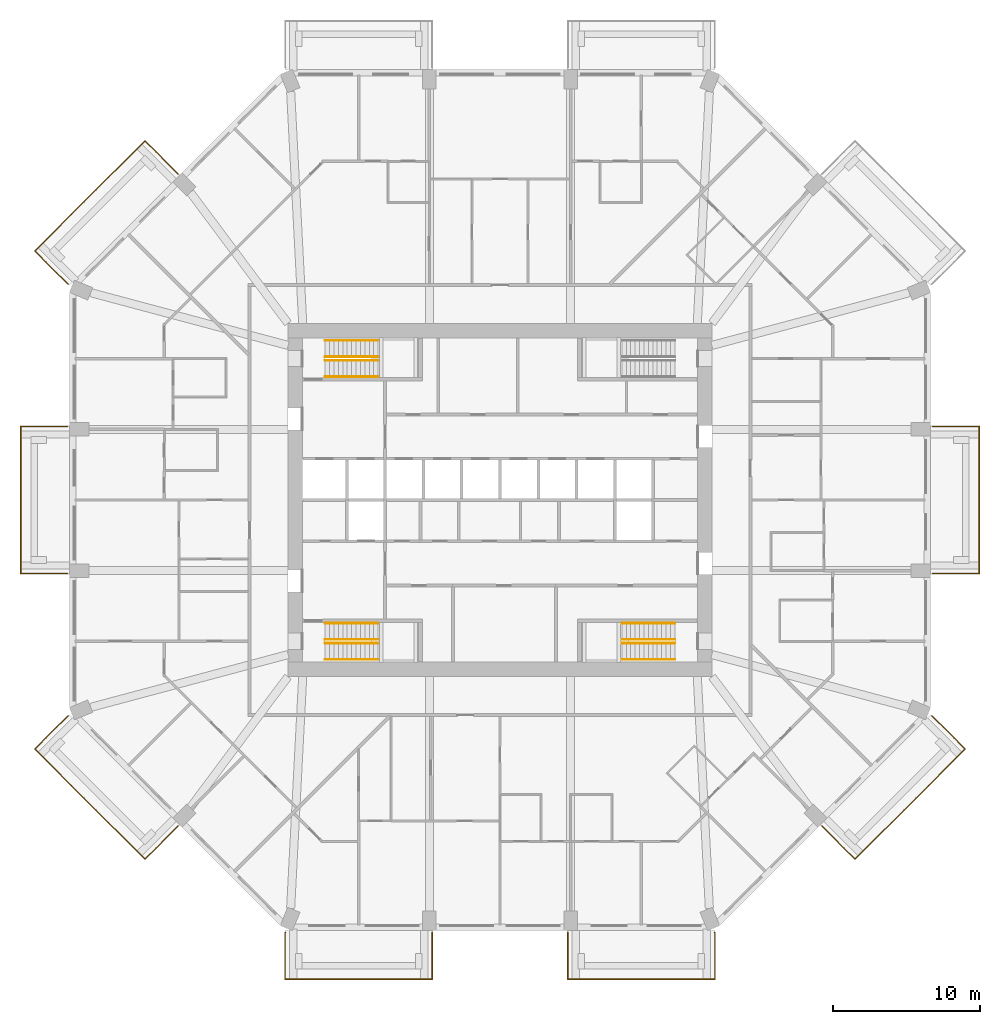
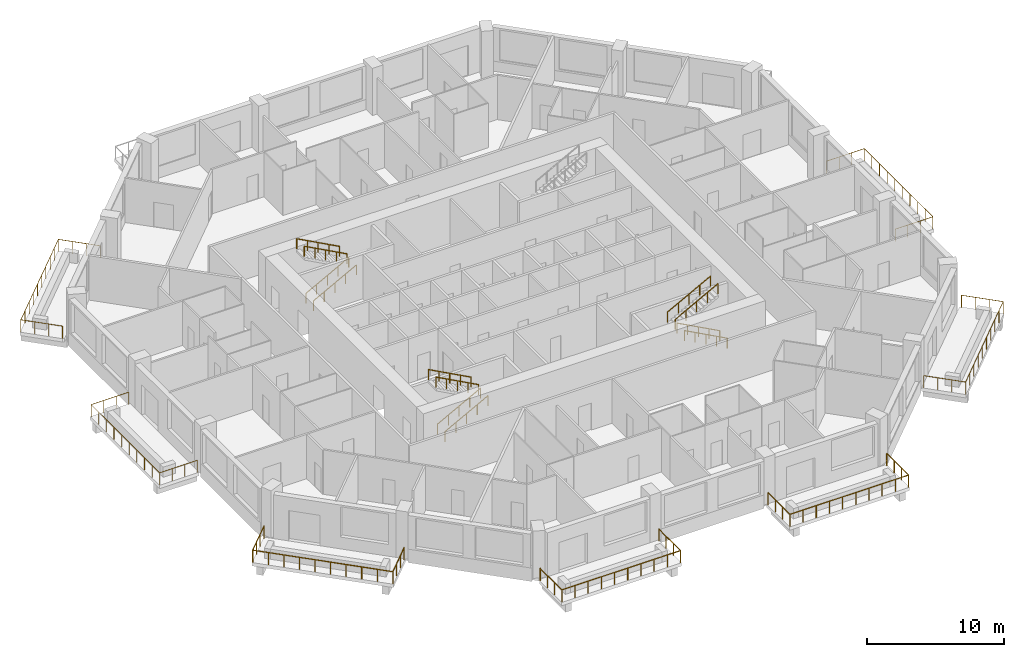
# One storey, part 12 of 13: 19 railings.
"""IFC4 building model written with IfcOpenShell, lengths in metres."""

from ifc_helpers import new_model, si_unit, direction, frame, origin, origin_2d, place, context, subcontext, project, spatial, circle, extrude, material, constituent, constituent_set, type_object, element, save


model = new_model("IFC4")

# Units and contexts
model_context = context("Model", 3, precision=1e-05, world=origin(), true_north=direction((0.0, 1.0)))
body_context = subcontext(model_context, "Body", "Model", "MODEL_VIEW")
ifc_project = project(units=[si_unit("LENGTHUNIT", "METRE"), si_unit("AREAUNIT", "SQUARE_METRE"), si_unit("VOLUMEUNIT", "CUBIC_METRE"), si_unit("PLANEANGLEUNIT", "RADIAN"), si_unit("MASSUNIT", "GRAM", prefix="KILO")], contexts=[model_context])

# Site, building, storey
site_placement = place(None, origin())
site = spatial("IfcSite", under=ifc_project, at=site_placement, CompositionType="ELEMENT")
building_placement = place(site_placement, origin())
building = spatial("IfcBuilding", under=site, at=building_placement, Name="Msitu Wima Residences", CompositionType="ELEMENT")
storey_placement = place(building_placement, frame((0.0, 0.0, 75.89990234375)))
storey = spatial("IfcBuildingStorey", under=building, at=storey_placement, Name="L17", CompositionType="ELEMENT", Elevation=75.89990234375)

# Railings
ifc_material_1 = material(Name="Steel S355", Category="steel")
ifc_constituent_1 = constituent(ifc_material_1, Name="Steel S355")
ifc_material_2 = material(Name="Weathering patina")
ifc_constituent_2 = constituent(ifc_material_2, Name="Weathering patina")
ifc_constituent_set_1 = constituent_set(constituents=[ifc_constituent_1, ifc_constituent_2], Name="Steel S355")
railing_type_1 = type_object("IfcRailingType", Name="Balcony guard GR1100", PredefinedType="GUARDRAIL", material=ifc_constituent_set_1)
railing_1_placement = place(storey_placement, frame((29.3798828125, 5.0, 0.0)))
element("IfcRailing", 1, at=railing_1_placement, inside=storey, type_object=railing_type_1, Name="Balcony guard E1 L17", PredefinedType="GUARDRAIL", context=body_context, shape_type="SweptSolid", body=[
    extrude(circle(Radius=0.02392578125, at=origin_2d()), frame((0.0, 0.0, 1.076171875), z_axis=(1.0, 0.0, 0.0), x_axis=(0.0, 1.0, 0.0)), (0.0, 0.0, 1.0), 3.170166015625),
    extrude(circle(Radius=0.02392578125, at=origin_2d()), frame((3.170166015625, 0.0, 1.076171875), z_axis=(0.0, -1.0, 0.0), x_axis=(1.0, 0.0, 0.0)), (0.0, 0.0, 1.0), 10.0),
    extrude(circle(Radius=0.02392578125, at=origin_2d()), frame((3.170166015625, -10.0, 1.076171875), z_axis=(-1.0, 0.0, 0.0), x_axis=(0.0, -1.0, 0.0)), (0.0, 0.0, 1.0), 3.170166015625),
    extrude(circle(Radius=0.02099609375, at=origin_2d()), origin(), (0.0, 0.0, 1.0), 1.052001953125),
    extrude(circle(Radius=0.02099609375, at=origin_2d()), frame((1.056640625, 0.0, 0.0)), (0.0, 0.0, 1.0), 1.052001953125),
    extrude(circle(Radius=0.02099609375, at=origin_2d()), frame((2.113525390625, 0.0, 0.0)), (0.0, 0.0, 1.0), 1.052001953125),
    extrude(circle(Radius=0.02099609375, at=origin_2d()), frame((3.170166015625, 0.0, 0.0)), (0.0, 0.0, 1.0), 1.052001953125),
    extrude(circle(Radius=0.02099609375, at=origin_2d()), frame((3.170166015625, -1.111083984375, 0.0)), (0.0, 0.0, 1.0), 1.052001953125),
    extrude(circle(Radius=0.02099609375, at=origin_2d()), frame((3.170166015625, -2.22216796875, 0.0)), (0.0, 0.0, 1.0), 1.052001953125),
    extrude(circle(Radius=0.02099609375, at=origin_2d()), frame((3.170166015625, -3.333251953125, 0.0)), (0.0, 0.0, 1.0), 1.052001953125),
    extrude(circle(Radius=0.02099609375, at=origin_2d()), frame((3.170166015625, -4.4443359375, 0.0)), (0.0, 0.0, 1.0), 1.052001953125),
    extrude(circle(Radius=0.02099609375, at=origin_2d()), frame((3.170166015625, -5.5556640625, 0.0)), (0.0, 0.0, 1.0), 1.052001953125),
    extrude(circle(Radius=0.02099609375, at=origin_2d()), frame((3.170166015625, -6.666748046875, 0.0)), (0.0, 0.0, 1.0), 1.052001953125),
    extrude(circle(Radius=0.02099609375, at=origin_2d()), frame((3.170166015625, -7.77783203125, 0.0)), (0.0, 0.0, 1.0), 1.052001953125),
    extrude(circle(Radius=0.02099609375, at=origin_2d()), frame((3.170166015625, -8.888916015625, 0.0)), (0.0, 0.0, 1.0), 1.052001953125),
    extrude(circle(Radius=0.02099609375, at=origin_2d()), frame((3.170166015625, -10.0, 0.0)), (0.0, 0.0, 1.0), 1.052001953125),
    extrude(circle(Radius=0.02099609375, at=origin_2d()), frame((2.113525390625, -10.0, 0.0)), (0.0, 0.0, 1.0), 1.052001953125),
    extrude(circle(Radius=0.02099609375, at=origin_2d()), frame((1.056640625, -10.0, 0.0)), (0.0, 0.0, 1.0), 1.052001953125),
    extrude(circle(Radius=0.02099609375, at=origin_2d()), frame((0.0, -10.0, 0.0)), (0.0, 0.0, 1.0), 1.052001953125),
])
railing_2_placement = place(storey_placement, frame((-29.341796875, 14.678466796875, 0.0)))
element("IfcRailing", 2, at=railing_2_placement, inside=storey, type_object=railing_type_1, Name="Balcony guard NW1 L17", PredefinedType="GUARDRAIL", context=body_context, shape_type="SweptSolid", body=[
    extrude(circle(Radius=0.02392578125, at=origin_2d()), frame((0.0, 0.0, 1.076171875), z_axis=(-0.923276184907, 0.384136806859, 0.0), x_axis=(-0.384136806859, -0.923276184907, 0.0)), (0.0, 0.0, 1.0), 0.0361328125),
    extrude(circle(Radius=0.02392578125, at=origin_2d()), frame((-0.033447265625, 0.013916015625, 1.076171875), z_axis=(-0.707106781187, 0.707106781187, 0.0), x_axis=(-0.707106781187, -0.707106781187, 0.0)), (0.0, 0.0, 1.0), 3.136474609375),
    extrude(circle(Radius=0.02392578125, at=origin_2d()), frame((-2.251220703125, 2.231689453125, 1.076171875), z_axis=(0.70709524572, 0.707118316465, 0.0), x_axis=(-0.707118316465, 0.70709524572, 0.0)), (0.0, 0.0, 1.0), 10.582275390625),
    extrude(circle(Radius=0.02392578125, at=origin_2d()), frame((5.2314453125, 9.714599609375, 1.076171875), z_axis=(0.707145287287, -0.707068272989, 0.0), x_axis=(0.707068272989, 0.707145287287, 0.0)), (0.0, 0.0, 1.0), 3.170166015625),
    extrude(circle(Radius=0.02099609375, at=origin_2d()), origin(), (0.0, 0.0, 1.0), 1.052001953125),
    extrude(circle(Radius=0.02099609375, at=origin_2d()), frame((-0.033447265625, 0.013916015625, 0.0)), (0.0, 0.0, 1.0), 1.052001953125),
    extrude(circle(Radius=0.02099609375, at=origin_2d()), frame((-0.772705078125, 0.753173828125, 0.0)), (0.0, 0.0, 1.0), 1.052001953125),
    extrude(circle(Radius=0.02099609375, at=origin_2d()), frame((-1.511962890625, 1.492431640625, 0.0)), (0.0, 0.0, 1.0), 1.052001953125),
    extrude(circle(Radius=0.02099609375, at=origin_2d()), frame((-2.251220703125, 2.231689453125, 0.0)), (0.0, 0.0, 1.0), 1.052001953125),
    extrude(circle(Radius=0.02099609375, at=origin_2d()), frame((-1.419921875, 3.063232421875, 0.0)), (0.0, 0.0, 1.0), 1.052001953125),
    extrude(circle(Radius=0.02099609375, at=origin_2d()), frame((-0.58837890625, 3.89453125, 0.0)), (0.0, 0.0, 1.0), 1.052001953125),
    extrude(circle(Radius=0.02099609375, at=origin_2d()), frame((0.242919921875, 4.72607421875, 0.0)), (0.0, 0.0, 1.0), 1.052001953125),
    extrude(circle(Radius=0.02099609375, at=origin_2d()), frame((1.074462890625, 5.557373046875, 0.0)), (0.0, 0.0, 1.0), 1.052001953125),
    extrude(circle(Radius=0.02099609375, at=origin_2d()), frame((1.90576171875, 6.388916015625, 0.0)), (0.0, 0.0, 1.0), 1.052001953125),
    extrude(circle(Radius=0.02099609375, at=origin_2d()), frame((2.7373046875, 7.22021484375, 0.0)), (0.0, 0.0, 1.0), 1.052001953125),
    extrude(circle(Radius=0.02099609375, at=origin_2d()), frame((3.568603515625, 8.0517578125, 0.0)), (0.0, 0.0, 1.0), 1.052001953125),
    extrude(circle(Radius=0.02099609375, at=origin_2d()), frame((4.400146484375, 8.883056640625, 0.0)), (0.0, 0.0, 1.0), 1.052001953125),
    extrude(circle(Radius=0.02099609375, at=origin_2d()), frame((5.2314453125, 9.714599609375, 0.0)), (0.0, 0.0, 1.0), 1.052001953125),
    extrude(circle(Radius=0.02099609375, at=origin_2d()), frame((5.978759765625, 8.967529296875, 0.0)), (0.0, 0.0, 1.0), 1.052001953125),
    extrude(circle(Radius=0.02099609375, at=origin_2d()), frame((6.725830078125, 8.22021484375, 0.0)), (0.0, 0.0, 1.0), 1.052001953125),
    extrude(circle(Radius=0.02099609375, at=origin_2d()), frame((7.47314453125, 7.47314453125, 0.0)), (0.0, 0.0, 1.0), 1.052001953125),
])
railing_3_placement = place(storey_placement, frame((-29.3798828125, -5.0, 0.0)))
element("IfcRailing", 3, at=railing_3_placement, inside=storey, type_object=railing_type_1, Name="Balcony guard W1 L17", PredefinedType="GUARDRAIL", context=body_context, shape_type="SweptSolid", body=[
    extrude(circle(Radius=0.02392578125, at=origin_2d()), frame((0.0, 0.0, 1.076171875), z_axis=(-1.0, 0.0, 0.0), x_axis=(0.0, -1.0, 0.0)), (0.0, 0.0, 1.0), 3.170166015625),
    extrude(circle(Radius=0.02392578125, at=origin_2d()), frame((-3.170166015625, 0.0, 1.076171875), z_axis=(0.0, 1.0, 0.0), x_axis=(-1.0, 0.0, 0.0)), (0.0, 0.0, 1.0), 10.0),
    extrude(circle(Radius=0.02392578125, at=origin_2d()), frame((-3.170166015625, 10.0, 1.076171875), z_axis=(1.0, 0.0, 0.0), x_axis=(0.0, 1.0, 0.0)), (0.0, 0.0, 1.0), 3.170166015625),
    extrude(circle(Radius=0.02099609375, at=origin_2d()), origin(), (0.0, 0.0, 1.0), 1.052001953125),
    extrude(circle(Radius=0.02099609375, at=origin_2d()), frame((-1.056640625, 0.0, 0.0)), (0.0, 0.0, 1.0), 1.052001953125),
    extrude(circle(Radius=0.02099609375, at=origin_2d()), frame((-2.113525390625, 0.0, 0.0)), (0.0, 0.0, 1.0), 1.052001953125),
    extrude(circle(Radius=0.02099609375, at=origin_2d()), frame((-3.170166015625, 0.0, 0.0)), (0.0, 0.0, 1.0), 1.052001953125),
    extrude(circle(Radius=0.02099609375, at=origin_2d()), frame((-3.170166015625, 1.111083984375, 0.0)), (0.0, 0.0, 1.0), 1.052001953125),
    extrude(circle(Radius=0.02099609375, at=origin_2d()), frame((-3.170166015625, 2.22216796875, 0.0)), (0.0, 0.0, 1.0), 1.052001953125),
    extrude(circle(Radius=0.02099609375, at=origin_2d()), frame((-3.170166015625, 3.333251953125, 0.0)), (0.0, 0.0, 1.0), 1.052001953125),
    extrude(circle(Radius=0.02099609375, at=origin_2d()), frame((-3.170166015625, 4.4443359375, 0.0)), (0.0, 0.0, 1.0), 1.052001953125),
    extrude(circle(Radius=0.02099609375, at=origin_2d()), frame((-3.170166015625, 5.5556640625, 0.0)), (0.0, 0.0, 1.0), 1.052001953125),
    extrude(circle(Radius=0.02099609375, at=origin_2d()), frame((-3.170166015625, 6.666748046875, 0.0)), (0.0, 0.0, 1.0), 1.052001953125),
    extrude(circle(Radius=0.02099609375, at=origin_2d()), frame((-3.170166015625, 7.77783203125, 0.0)), (0.0, 0.0, 1.0), 1.052001953125),
    extrude(circle(Radius=0.02099609375, at=origin_2d()), frame((-3.170166015625, 8.888916015625, 0.0)), (0.0, 0.0, 1.0), 1.052001953125),
    extrude(circle(Radius=0.02099609375, at=origin_2d()), frame((-3.170166015625, 10.0, 0.0)), (0.0, 0.0, 1.0), 1.052001953125),
    extrude(circle(Radius=0.02099609375, at=origin_2d()), frame((-2.113525390625, 10.0, 0.0)), (0.0, 0.0, 1.0), 1.052001953125),
    extrude(circle(Radius=0.02099609375, at=origin_2d()), frame((-1.056640625, 10.0, 0.0)), (0.0, 0.0, 1.0), 1.052001953125),
    extrude(circle(Radius=0.02099609375, at=origin_2d()), frame((0.0, 10.0, 0.0)), (0.0, 0.0, 1.0), 1.052001953125),
])
railing_4_placement = place(storey_placement, frame((-21.86865234375, -22.151611328125, 0.0)))
element("IfcRailing", 4, at=railing_4_placement, inside=storey, type_object=railing_type_1, Name="Balcony guard SW0 L17", PredefinedType="GUARDRAIL", context=body_context, shape_type="SweptSolid", body=[
    extrude(circle(Radius=0.02392578125, at=origin_2d()), frame((0.0, 0.0, 1.076171875), z_axis=(-0.707145287287, -0.707068272989, 0.0), x_axis=(0.707068272989, -0.707145287287, 0.0)), (0.0, 0.0, 1.0), 3.170166015625),
    extrude(circle(Radius=0.02392578125, at=origin_2d()), frame((-2.24169921875, -2.241455078125, 1.076171875), z_axis=(-0.70709524572, 0.707118316465, 0.0), x_axis=(-0.707118316465, -0.70709524572, 0.0)), (0.0, 0.0, 1.0), 10.582275390625),
    extrude(circle(Radius=0.02392578125, at=origin_2d()), frame((-9.724365234375, 5.241455078125, 1.076171875), z_axis=(0.707106781187, 0.707106781187, 0.0), x_axis=(-0.707106781187, 0.707106781187, 0.0)), (0.0, 0.0, 1.0), 3.136474609375),
    extrude(circle(Radius=0.02392578125, at=origin_2d()), frame((-7.506591796875, 7.459228515625, 1.076171875), z_axis=(0.923276184907, 0.384136806859, 0.0), x_axis=(-0.384136806859, 0.923276184907, 0.0)), (0.0, 0.0, 1.0), 0.0361328125),
    extrude(circle(Radius=0.02099609375, at=origin_2d()), origin(), (0.0, 0.0, 1.0), 1.052001953125),
    extrude(circle(Radius=0.02099609375, at=origin_2d()), frame((-0.747314453125, -0.7470703125, 0.0)), (0.0, 0.0, 1.0), 1.052001953125),
    extrude(circle(Radius=0.02099609375, at=origin_2d()), frame((-1.494384765625, -1.494384765625, 0.0)), (0.0, 0.0, 1.0), 1.052001953125),
    extrude(circle(Radius=0.02099609375, at=origin_2d()), frame((-2.24169921875, -2.241455078125, 0.0)), (0.0, 0.0, 1.0), 1.052001953125),
    extrude(circle(Radius=0.02099609375, at=origin_2d()), frame((-3.072998046875, -1.409912109375, 0.0)), (0.0, 0.0, 1.0), 1.052001953125),
    extrude(circle(Radius=0.02099609375, at=origin_2d()), frame((-3.904541015625, -0.57861328125, 0.0)), (0.0, 0.0, 1.0), 1.052001953125),
    extrude(circle(Radius=0.02099609375, at=origin_2d()), frame((-4.73583984375, 0.2529296875, 0.0)), (0.0, 0.0, 1.0), 1.052001953125),
    extrude(circle(Radius=0.02099609375, at=origin_2d()), frame((-5.5673828125, 1.084228515625, 0.0)), (0.0, 0.0, 1.0), 1.052001953125),
    extrude(circle(Radius=0.02099609375, at=origin_2d()), frame((-6.398681640625, 1.915771484375, 0.0)), (0.0, 0.0, 1.0), 1.052001953125),
    extrude(circle(Radius=0.02099609375, at=origin_2d()), frame((-7.230224609375, 2.7470703125, 0.0)), (0.0, 0.0, 1.0), 1.052001953125),
    extrude(circle(Radius=0.02099609375, at=origin_2d()), frame((-8.0615234375, 3.57861328125, 0.0)), (0.0, 0.0, 1.0), 1.052001953125),
    extrude(circle(Radius=0.02099609375, at=origin_2d()), frame((-8.89306640625, 4.409912109375, 0.0)), (0.0, 0.0, 1.0), 1.052001953125),
    extrude(circle(Radius=0.02099609375, at=origin_2d()), frame((-9.724365234375, 5.241455078125, 0.0)), (0.0, 0.0, 1.0), 1.052001953125),
    extrude(circle(Radius=0.02099609375, at=origin_2d()), frame((-8.985107421875, 5.980712890625, 0.0)), (0.0, 0.0, 1.0), 1.052001953125),
    extrude(circle(Radius=0.02099609375, at=origin_2d()), frame((-8.245849609375, 6.719970703125, 0.0)), (0.0, 0.0, 1.0), 1.052001953125),
    extrude(circle(Radius=0.02099609375, at=origin_2d()), frame((-7.506591796875, 7.459228515625, 0.0)), (0.0, 0.0, 1.0), 1.052001953125),
    extrude(circle(Radius=0.02099609375, at=origin_2d()), frame((-7.47314453125, 7.47314453125, 0.0)), (0.0, 0.0, 1.0), 1.052001953125),
])
railing_5_placement = place(storey_placement, frame((-4.60009765625, -29.3798828125, 0.0)))
element("IfcRailing", 5, at=railing_5_placement, inside=storey, type_object=railing_type_1, Name="Balcony guard S0 L17", PredefinedType="GUARDRAIL", context=body_context, shape_type="SweptSolid", body=[
    extrude(circle(Radius=0.02392578125, at=origin_2d()), frame((0.0, 0.0, 1.076171875), z_axis=(0.0, -1.0, 0.0), x_axis=(1.0, 0.0, 0.0)), (0.0, 0.0, 1.0), 3.170166015625),
    extrude(circle(Radius=0.02392578125, at=origin_2d()), frame((0.0, -3.170166015625, 1.076171875), z_axis=(-1.0, 0.0, 0.0), x_axis=(0.0, -1.0, 0.0)), (0.0, 0.0, 1.0), 10.0),
    extrude(circle(Radius=0.02392578125, at=origin_2d()), frame((-10.0, -3.170166015625, 1.076171875), z_axis=(0.0, 1.0, 0.0), x_axis=(-1.0, 0.0, 0.0)), (0.0, 0.0, 1.0), 3.136474609375),
    extrude(circle(Radius=0.02392578125, at=origin_2d()), frame((-10.0, -0.03369140625, 1.076171875), z_axis=(0.38176015442, 0.92426142649, 0.0), x_axis=(-0.92426142649, 0.38176015442, 0.0)), (0.0, 0.0, 1.0), 0.036376953125),
    extrude(circle(Radius=0.02099609375, at=origin_2d()), origin(), (0.0, 0.0, 1.0), 1.052001953125),
    extrude(circle(Radius=0.02099609375, at=origin_2d()), frame((0.0, -1.056640625, 0.0)), (0.0, 0.0, 1.0), 1.052001953125),
    extrude(circle(Radius=0.02099609375, at=origin_2d()), frame((0.0, -2.113525390625, 0.0)), (0.0, 0.0, 1.0), 1.052001953125),
    extrude(circle(Radius=0.02099609375, at=origin_2d()), frame((0.0, -3.170166015625, 0.0)), (0.0, 0.0, 1.0), 1.052001953125),
    extrude(circle(Radius=0.02099609375, at=origin_2d()), frame((-1.111083984375, -3.170166015625, 0.0)), (0.0, 0.0, 1.0), 1.052001953125),
    extrude(circle(Radius=0.02099609375, at=origin_2d()), frame((-2.22216796875, -3.170166015625, 0.0)), (0.0, 0.0, 1.0), 1.052001953125),
    extrude(circle(Radius=0.02099609375, at=origin_2d()), frame((-3.333251953125, -3.170166015625, 0.0)), (0.0, 0.0, 1.0), 1.052001953125),
    extrude(circle(Radius=0.02099609375, at=origin_2d()), frame((-4.4443359375, -3.170166015625, 0.0)), (0.0, 0.0, 1.0), 1.052001953125),
    extrude(circle(Radius=0.02099609375, at=origin_2d()), frame((-5.5556640625, -3.170166015625, 0.0)), (0.0, 0.0, 1.0), 1.052001953125),
    extrude(circle(Radius=0.02099609375, at=origin_2d()), frame((-6.666748046875, -3.170166015625, 0.0)), (0.0, 0.0, 1.0), 1.052001953125),
    extrude(circle(Radius=0.02099609375, at=origin_2d()), frame((-7.77783203125, -3.170166015625, 0.0)), (0.0, 0.0, 1.0), 1.052001953125),
    extrude(circle(Radius=0.02099609375, at=origin_2d()), frame((-8.888916015625, -3.170166015625, 0.0)), (0.0, 0.0, 1.0), 1.052001953125),
    extrude(circle(Radius=0.02099609375, at=origin_2d()), frame((-10.0, -3.170166015625, 0.0)), (0.0, 0.0, 1.0), 1.052001953125),
    extrude(circle(Radius=0.02099609375, at=origin_2d()), frame((-10.0, -2.124755859375, 0.0)), (0.0, 0.0, 1.0), 1.052001953125),
    extrude(circle(Radius=0.02099609375, at=origin_2d()), frame((-10.0, -1.0791015625, 0.0)), (0.0, 0.0, 1.0), 1.052001953125),
    extrude(circle(Radius=0.02099609375, at=origin_2d()), frame((-10.0, -0.03369140625, 0.0)), (0.0, 0.0, 1.0), 1.052001953125),
    extrude(circle(Radius=0.02099609375, at=origin_2d()), frame((-9.986083984375, 0.0, 0.0)), (0.0, 0.0, 1.0), 1.052001953125),
])
railing_6_placement = place(storey_placement, frame((14.586181640625, -29.3798828125, 0.0)))
element("IfcRailing", 6, at=railing_6_placement, inside=storey, type_object=railing_type_1, Name="Balcony guard S2 L17", PredefinedType="GUARDRAIL", context=body_context, shape_type="SweptSolid", body=[
    extrude(circle(Radius=0.02392578125, at=origin_2d()), frame((0.0, 0.0, 1.076171875), z_axis=(0.38176015442, -0.92426142649, 0.0), x_axis=(0.92426142649, 0.38176015442, 0.0)), (0.0, 0.0, 1.0), 0.036376953125),
    extrude(circle(Radius=0.02392578125, at=origin_2d()), frame((0.013916015625, -0.03369140625, 1.076171875), z_axis=(0.0, -1.0, 0.0), x_axis=(1.0, 0.0, 0.0)), (0.0, 0.0, 1.0), 3.136474609375),
    extrude(circle(Radius=0.02392578125, at=origin_2d()), frame((0.013916015625, -3.170166015625, 1.076171875), z_axis=(-1.0, 0.0, 0.0), x_axis=(0.0, -1.0, 0.0)), (0.0, 0.0, 1.0), 10.0),
    extrude(circle(Radius=0.02392578125, at=origin_2d()), frame((-9.986083984375, -3.170166015625, 1.076171875), z_axis=(0.0, 1.0, 0.0), x_axis=(-1.0, 0.0, 0.0)), (0.0, 0.0, 1.0), 3.170166015625),
    extrude(circle(Radius=0.02099609375, at=origin_2d()), origin(), (0.0, 0.0, 1.0), 1.052001953125),
    extrude(circle(Radius=0.02099609375, at=origin_2d()), frame((0.013916015625, -0.03369140625, 0.0)), (0.0, 0.0, 1.0), 1.052001953125),
    extrude(circle(Radius=0.02099609375, at=origin_2d()), frame((0.013916015625, -1.0791015625, 0.0)), (0.0, 0.0, 1.0), 1.052001953125),
    extrude(circle(Radius=0.02099609375, at=origin_2d()), frame((0.013916015625, -2.124755859375, 0.0)), (0.0, 0.0, 1.0), 1.052001953125),
    extrude(circle(Radius=0.02099609375, at=origin_2d()), frame((0.013916015625, -3.170166015625, 0.0)), (0.0, 0.0, 1.0), 1.052001953125),
    extrude(circle(Radius=0.02099609375, at=origin_2d()), frame((-1.09716796875, -3.170166015625, 0.0)), (0.0, 0.0, 1.0), 1.052001953125),
    extrude(circle(Radius=0.02099609375, at=origin_2d()), frame((-2.208251953125, -3.170166015625, 0.0)), (0.0, 0.0, 1.0), 1.052001953125),
    extrude(circle(Radius=0.02099609375, at=origin_2d()), frame((-3.3193359375, -3.170166015625, 0.0)), (0.0, 0.0, 1.0), 1.052001953125),
    extrude(circle(Radius=0.02099609375, at=origin_2d()), frame((-4.430419921875, -3.170166015625, 0.0)), (0.0, 0.0, 1.0), 1.052001953125),
    extrude(circle(Radius=0.02099609375, at=origin_2d()), frame((-5.541748046875, -3.170166015625, 0.0)), (0.0, 0.0, 1.0), 1.052001953125),
    extrude(circle(Radius=0.02099609375, at=origin_2d()), frame((-6.65283203125, -3.170166015625, 0.0)), (0.0, 0.0, 1.0), 1.052001953125),
    extrude(circle(Radius=0.02099609375, at=origin_2d()), frame((-7.763916015625, -3.170166015625, 0.0)), (0.0, 0.0, 1.0), 1.052001953125),
    extrude(circle(Radius=0.02099609375, at=origin_2d()), frame((-8.875, -3.170166015625, 0.0)), (0.0, 0.0, 1.0), 1.052001953125),
    extrude(circle(Radius=0.02099609375, at=origin_2d()), frame((-9.986083984375, -3.170166015625, 0.0)), (0.0, 0.0, 1.0), 1.052001953125),
    extrude(circle(Radius=0.02099609375, at=origin_2d()), frame((-9.986083984375, -2.113525390625, 0.0)), (0.0, 0.0, 1.0), 1.052001953125),
    extrude(circle(Radius=0.02099609375, at=origin_2d()), frame((-9.986083984375, -1.056640625, 0.0)), (0.0, 0.0, 1.0), 1.052001953125),
    extrude(circle(Radius=0.02099609375, at=origin_2d()), frame((-9.986083984375, 0.0, 0.0)), (0.0, 0.0, 1.0), 1.052001953125),
])
railing_7_placement = place(storey_placement, frame((29.341796875, -14.678466796875, 0.0)))
element("IfcRailing", 7, at=railing_7_placement, inside=storey, type_object=railing_type_1, Name="Balcony guard SE1 L17", PredefinedType="GUARDRAIL", context=body_context, shape_type="SweptSolid", body=[
    extrude(circle(Radius=0.02392578125, at=origin_2d()), frame((0.0, 0.0, 1.076171875), z_axis=(0.923276184907, -0.384136806859, 0.0), x_axis=(0.384136806859, 0.923276184907, 0.0)), (0.0, 0.0, 1.0), 0.0361328125),
    extrude(circle(Radius=0.02392578125, at=origin_2d()), frame((0.033447265625, -0.013916015625, 1.076171875), z_axis=(0.707106781187, -0.707106781187, 0.0), x_axis=(0.707106781187, 0.707106781187, 0.0)), (0.0, 0.0, 1.0), 3.136474609375),
    extrude(circle(Radius=0.02392578125, at=origin_2d()), frame((2.251220703125, -2.231689453125, 1.076171875), z_axis=(-0.70709524572, -0.707118316465, 0.0), x_axis=(0.707118316465, -0.70709524572, 0.0)), (0.0, 0.0, 1.0), 10.582275390625),
    extrude(circle(Radius=0.02392578125, at=origin_2d()), frame((-5.2314453125, -9.714599609375, 1.076171875), z_axis=(-0.707145287287, 0.707068272989, 0.0), x_axis=(-0.707068272989, -0.707145287287, 0.0)), (0.0, 0.0, 1.0), 3.170166015625),
    extrude(circle(Radius=0.02099609375, at=origin_2d()), origin(), (0.0, 0.0, 1.0), 1.052001953125),
    extrude(circle(Radius=0.02099609375, at=origin_2d()), frame((0.033447265625, -0.013916015625, 0.0)), (0.0, 0.0, 1.0), 1.052001953125),
    extrude(circle(Radius=0.02099609375, at=origin_2d()), frame((0.772705078125, -0.753173828125, 0.0)), (0.0, 0.0, 1.0), 1.052001953125),
    extrude(circle(Radius=0.02099609375, at=origin_2d()), frame((1.511962890625, -1.492431640625, 0.0)), (0.0, 0.0, 1.0), 1.052001953125),
    extrude(circle(Radius=0.02099609375, at=origin_2d()), frame((2.251220703125, -2.231689453125, 0.0)), (0.0, 0.0, 1.0), 1.052001953125),
    extrude(circle(Radius=0.02099609375, at=origin_2d()), frame((1.419921875, -3.063232421875, 0.0)), (0.0, 0.0, 1.0), 1.052001953125),
    extrude(circle(Radius=0.02099609375, at=origin_2d()), frame((0.58837890625, -3.89453125, 0.0)), (0.0, 0.0, 1.0), 1.052001953125),
    extrude(circle(Radius=0.02099609375, at=origin_2d()), frame((-0.242919921875, -4.72607421875, 0.0)), (0.0, 0.0, 1.0), 1.052001953125),
    extrude(circle(Radius=0.02099609375, at=origin_2d()), frame((-1.074462890625, -5.557373046875, 0.0)), (0.0, 0.0, 1.0), 1.052001953125),
    extrude(circle(Radius=0.02099609375, at=origin_2d()), frame((-1.90576171875, -6.388916015625, 0.0)), (0.0, 0.0, 1.0), 1.052001953125),
    extrude(circle(Radius=0.02099609375, at=origin_2d()), frame((-2.7373046875, -7.22021484375, 0.0)), (0.0, 0.0, 1.0), 1.052001953125),
    extrude(circle(Radius=0.02099609375, at=origin_2d()), frame((-3.568603515625, -8.0517578125, 0.0)), (0.0, 0.0, 1.0), 1.052001953125),
    extrude(circle(Radius=0.02099609375, at=origin_2d()), frame((-4.400146484375, -8.883056640625, 0.0)), (0.0, 0.0, 1.0), 1.052001953125),
    extrude(circle(Radius=0.02099609375, at=origin_2d()), frame((-5.2314453125, -9.714599609375, 0.0)), (0.0, 0.0, 1.0), 1.052001953125),
    extrude(circle(Radius=0.02099609375, at=origin_2d()), frame((-5.978759765625, -8.967529296875, 0.0)), (0.0, 0.0, 1.0), 1.052001953125),
    extrude(circle(Radius=0.02099609375, at=origin_2d()), frame((-6.725830078125, -8.22021484375, 0.0)), (0.0, 0.0, 1.0), 1.052001953125),
    extrude(circle(Radius=0.02099609375, at=origin_2d()), frame((-7.47314453125, -7.47314453125, 0.0)), (0.0, 0.0, 1.0), 1.052001953125),
])
ifc_constituent_3 = constituent(ifc_material_1, Name="Steel S355")
ifc_material_3 = material(Name="Black powder coating")
ifc_constituent_4 = constituent(ifc_material_3, Name="Black powder coating")
ifc_constituent_set_2 = constituent_set(constituents=[ifc_constituent_3, ifc_constituent_4], Name="Steel S355")
railing_type_2 = type_object("IfcRailingType", Name="Stair handrail HR1", PredefinedType="HANDRAIL", material=ifc_constituent_set_2)
for number, where, name in (
    (8, (-11.875, 8.375, 0.16162109375), "Stair 1 handrail"),
    (9, (-11.875, 9.47509765625, 0.16162109375), "Stair 1 handrail"),
):
    element("IfcRailing", number, at=place(storey_placement, frame(where)), inside=storey, type_object=railing_type_2, Name=name, PredefinedType="HANDRAIL", context=body_context, shape_type="SweptSolid", body=[
        extrude(circle(Radius=0.02392578125, at=origin_2d()), frame((0.0, 0.0, 0.8759765625), z_axis=(0.880474934443, 0.0, 0.474092701714), x_axis=(0.0, 1.0, 0.0)), (0.0, 0.0, 1.0), 4.0888671875),
        extrude(circle(Radius=0.02099609375, at=origin_2d()), origin(), (0.0, 0.0, 1.0), 0.851806640625),
        extrude(circle(Radius=0.02099609375, at=origin_2d()), frame((0.89990234375, 0.0, 0.484619140625)), (0.0, 0.0, 1.0), 0.851806640625),
        extrude(circle(Radius=0.02099609375, at=origin_2d()), frame((1.800048828125, 0.0, 0.96923828125)), (0.0, 0.0, 1.0), 0.851806640625),
        extrude(circle(Radius=0.02099609375, at=origin_2d()), frame((2.7001953125, 0.0, 1.453857421875)), (0.0, 0.0, 1.0), 0.851806640625),
        extrude(circle(Radius=0.02099609375, at=origin_2d()), frame((3.60009765625, 0.0, 1.9384765625)), (0.0, 0.0, 1.0), 0.851806640625),
    ])
for number, where, name in (
    (10, (-8.27490234375, 9.72509765625, 2.26171875), "Stair 1 handrail"),
    (11, (-8.27490234375, 10.824951171875, 2.26171875), "Stair 1 handrail"),
):
    element("IfcRailing", number, at=place(storey_placement, frame(where)), inside=storey, type_object=railing_type_2, Name=name, PredefinedType="HANDRAIL", context=body_context, shape_type="SweptSolid", body=[
        extrude(circle(Radius=0.02392578125, at=origin_2d()), frame((0.0, 0.0, 0.8759765625), z_axis=(-0.880474934443, 0.0, 0.474092701714), x_axis=(0.0, -1.0, 0.0)), (0.0, 0.0, 1.0), 4.0888671875),
        extrude(circle(Radius=0.02099609375, at=origin_2d()), origin(), (0.0, 0.0, 1.0), 0.851806640625),
        extrude(circle(Radius=0.02099609375, at=origin_2d()), frame((-0.89990234375, 0.0, 0.484619140625)), (0.0, 0.0, 1.0), 0.851806640625),
        extrude(circle(Radius=0.02099609375, at=origin_2d()), frame((-1.800048828125, 0.0, 0.96923828125)), (0.0, 0.0, 1.0), 0.851806640625),
        extrude(circle(Radius=0.02099609375, at=origin_2d()), frame((-2.7001953125, 0.0, 1.453857421875)), (0.0, 0.0, 1.0), 0.851806640625),
        extrude(circle(Radius=0.02099609375, at=origin_2d()), frame((-3.60009765625, 0.0, 1.9384765625)), (0.0, 0.0, 1.0), 0.851806640625),
    ])
for number, where, name in (
    (12, (-11.875, -10.824951171875, 0.16162109375), "Stair 2 handrail"),
    (13, (-11.875, -9.72509765625, 0.16162109375), "Stair 2 handrail"),
):
    element("IfcRailing", number, at=place(storey_placement, frame(where)), inside=storey, type_object=railing_type_2, Name=name, PredefinedType="HANDRAIL", context=body_context, shape_type="SweptSolid", body=[
        extrude(circle(Radius=0.02392578125, at=origin_2d()), frame((0.0, 0.0, 0.8759765625), z_axis=(0.880474934443, 0.0, 0.474092701714), x_axis=(0.0, 1.0, 0.0)), (0.0, 0.0, 1.0), 4.0888671875),
        extrude(circle(Radius=0.02099609375, at=origin_2d()), origin(), (0.0, 0.0, 1.0), 0.851806640625),
        extrude(circle(Radius=0.02099609375, at=origin_2d()), frame((0.89990234375, 0.0, 0.484619140625)), (0.0, 0.0, 1.0), 0.851806640625),
        extrude(circle(Radius=0.02099609375, at=origin_2d()), frame((1.800048828125, 0.0, 0.96923828125)), (0.0, 0.0, 1.0), 0.851806640625),
        extrude(circle(Radius=0.02099609375, at=origin_2d()), frame((2.7001953125, 0.0, 1.453857421875)), (0.0, 0.0, 1.0), 0.851806640625),
        extrude(circle(Radius=0.02099609375, at=origin_2d()), frame((3.60009765625, 0.0, 1.9384765625)), (0.0, 0.0, 1.0), 0.851806640625),
    ])
for number, where, name in (
    (14, (-8.27490234375, -9.47509765625, 2.26171875), "Stair 2 handrail"),
    (15, (-8.27490234375, -8.375, 2.26171875), "Stair 2 handrail"),
    (16, (11.875, -10.824951171875, 0.16162109375), "Stair 4 handrail"),
    (17, (11.875, -9.72509765625, 0.16162109375), "Stair 4 handrail"),
):
    element("IfcRailing", number, at=place(storey_placement, frame(where)), inside=storey, type_object=railing_type_2, Name=name, PredefinedType="HANDRAIL", context=body_context, shape_type="SweptSolid", body=[
        extrude(circle(Radius=0.02392578125, at=origin_2d()), frame((0.0, 0.0, 0.8759765625), z_axis=(-0.880474934443, 0.0, 0.474092701714), x_axis=(0.0, -1.0, 0.0)), (0.0, 0.0, 1.0), 4.0888671875),
        extrude(circle(Radius=0.02099609375, at=origin_2d()), origin(), (0.0, 0.0, 1.0), 0.851806640625),
        extrude(circle(Radius=0.02099609375, at=origin_2d()), frame((-0.89990234375, 0.0, 0.484619140625)), (0.0, 0.0, 1.0), 0.851806640625),
        extrude(circle(Radius=0.02099609375, at=origin_2d()), frame((-1.800048828125, 0.0, 0.96923828125)), (0.0, 0.0, 1.0), 0.851806640625),
        extrude(circle(Radius=0.02099609375, at=origin_2d()), frame((-2.7001953125, 0.0, 1.453857421875)), (0.0, 0.0, 1.0), 0.851806640625),
        extrude(circle(Radius=0.02099609375, at=origin_2d()), frame((-3.60009765625, 0.0, 1.9384765625)), (0.0, 0.0, 1.0), 0.851806640625),
    ])
for number, where, name in (
    (18, (8.27490234375, -9.47509765625, 2.26171875), "Stair 4 handrail"),
    (19, (8.27490234375, -8.375, 2.26171875), "Stair 4 handrail"),
):
    element("IfcRailing", number, at=place(storey_placement, frame(where)), inside=storey, type_object=railing_type_2, Name=name, PredefinedType="HANDRAIL", context=body_context, shape_type="SweptSolid", body=[
        extrude(circle(Radius=0.02392578125, at=origin_2d()), frame((0.0, 0.0, 0.8759765625), z_axis=(0.880474934443, 0.0, 0.474092701714), x_axis=(0.0, 1.0, 0.0)), (0.0, 0.0, 1.0), 4.0888671875),
        extrude(circle(Radius=0.02099609375, at=origin_2d()), origin(), (0.0, 0.0, 1.0), 0.851806640625),
        extrude(circle(Radius=0.02099609375, at=origin_2d()), frame((0.89990234375, 0.0, 0.484619140625)), (0.0, 0.0, 1.0), 0.851806640625),
        extrude(circle(Radius=0.02099609375, at=origin_2d()), frame((1.800048828125, 0.0, 0.96923828125)), (0.0, 0.0, 1.0), 0.851806640625),
        extrude(circle(Radius=0.02099609375, at=origin_2d()), frame((2.7001953125, 0.0, 1.453857421875)), (0.0, 0.0, 1.0), 0.851806640625),
        extrude(circle(Radius=0.02099609375, at=origin_2d()), frame((3.60009765625, 0.0, 1.9384765625)), (0.0, 0.0, 1.0), 0.851806640625),
    ])

save(model, "model.ifc")
